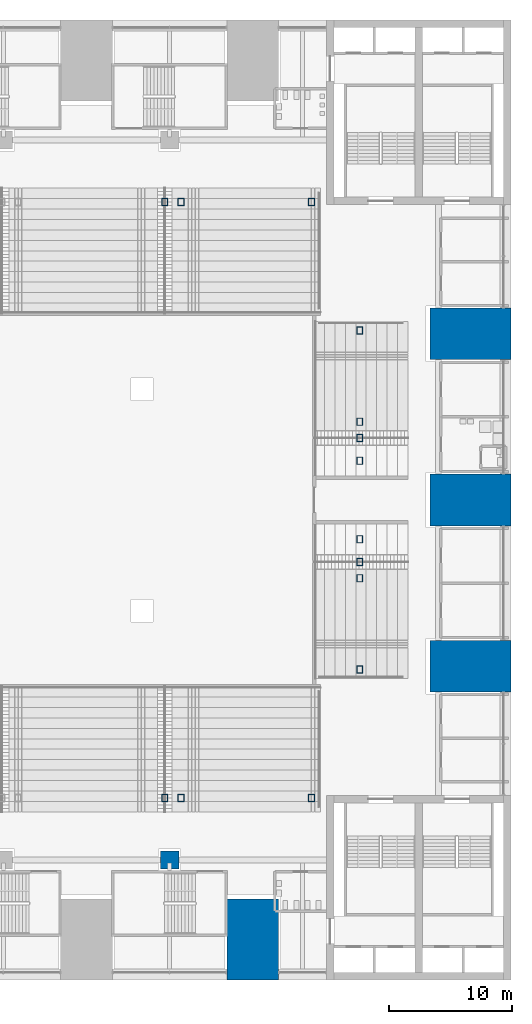
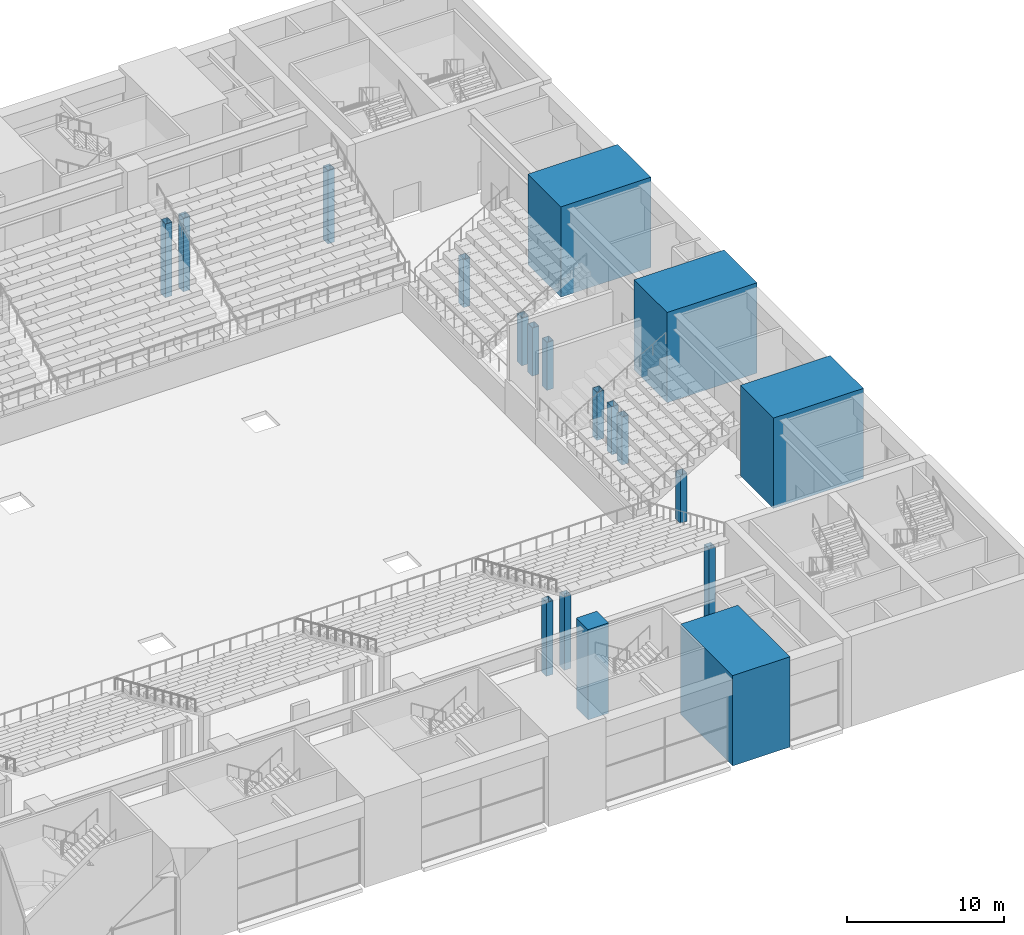
# One storey, part 2 of 62: 19 columns.
"""IFC4 building model written with IfcOpenShell, lengths in metres."""

from ifc_helpers import new_model, si_unit, direction, frame, origin, origin_2d, place, context, subcontext, project, spatial, rectangle, hollow_rectangle, extrude, material, material_profile, profile_set, type_object, element, save


model = new_model("IFC4")

# Units and contexts
model_context = context("Model", 3, precision=1e-05, world=origin(), true_north=direction((0.0, 1.0)))
body_context = subcontext(model_context, "Body", "Model", "MODEL_VIEW")
ifc_project = project(units=[si_unit("LENGTHUNIT", "METRE"), si_unit("AREAUNIT", "SQUARE_METRE"), si_unit("VOLUMEUNIT", "CUBIC_METRE"), si_unit("PLANEANGLEUNIT", "RADIAN"), si_unit("MASSUNIT", "GRAM", prefix="KILO")], contexts=[model_context])

# Site, building, storey
site_placement = place(None, origin())
site = spatial("IfcSite", under=ifc_project, at=site_placement, CompositionType="ELEMENT")
building_placement = place(site_placement, origin())
building = spatial("IfcBuilding", under=site, at=building_placement, Name="Corbelhall Arena Tower", CompositionType="ELEMENT")
storey_placement = place(building_placement, frame((0.0, 0.0, 12.0)))
storey = spatial("IfcBuildingStorey", under=building, at=storey_placement, Name="L01", CompositionType="ELEMENT", Elevation=12.0)

# Columns
ifc_material_1 = material(Name="Steel ASTM A572 Gr50", Category="steel")
ifc_material_profile_1 = material_profile(ifc_material_1, hollow_rectangle(XDim=0.5, YDim=0.60009765625, WallThickness=0.030029296875, at=origin_2d()))
ifc_profile_set_1 = profile_set([ifc_material_profile_1], Name="Steel ASTM A572 Gr50")
column_type_1 = type_object("IfcColumnType", Name="AR-TIER-POST", PredefinedType="COLUMN", material=ifc_profile_set_1)
for number, where, z_axis, x_axis, name in (
    (1, (21.179931640625, 24.199951171875, 0.0), (0.0, 0.0, 1.0), (1.0, 0.0, 0.0), "Tier post LNE"),
    (2, (31.780029296875, 24.199951171875, 0.0), (0.0, 0.0, 1.0), (1.0, 0.0, 0.0), "Tier post LNE"),
    (3, (19.860107421875, 24.199951171875, 0.0), (0.0, 0.0, 1.0), (1.0, 0.0, 0.0), "Tier post LN-AIS4"),
    (4, (31.780029296875, -24.199951171875, 0.0), (0.0, 0.0, 1.0), (1.0, 0.0, 0.0), "Tier post LSA"),
    (5, (21.179931640625, -24.199951171875, 0.0), (0.0, 0.0, 1.0), (1.0, 0.0, 0.0), "Tier post LSA"),
    (6, (19.860107421875, -24.199951171875, 0.0), (0.0, 0.0, 1.0), (1.0, 0.0, 0.0), "Tier post LS-AIS1"),
):
    element("IfcColumn", number, at=place(storey_placement, frame(where, z_axis=z_axis, x_axis=x_axis)), inside=storey, type_object=column_type_1, Name=name, PredefinedType="COLUMN", context=body_context, shape_type="SweptSolid", body=[
        extrude(hollow_rectangle(XDim=0.5, YDim=0.60009765625, WallThickness=0.030029296875, at=origin_2d()), origin(), (0.0, 0.0, 1.0), 5.7119140625),
    ])
for number, where, z_axis, x_axis, name in (
    (7, (35.705078125, -13.780029296875, 0.0), (0.0, 0.0, 1.0), (1.0, 0.0, 0.0), "Tier post LEA"),
    (8, (35.705078125, -6.353271484375, 0.0), (0.0, 0.0, 1.0), (1.0, 0.0, 0.0), "Tier post LEA"),
    (9, (35.705078125, -3.191650390625, 0.0), (0.0, 0.0, 1.0), (1.0, 0.0, 0.0), "Tier post LEB"),
    (10, (35.705078125, 3.191650390625, 0.0), (0.0, 0.0, 1.0), (1.0, 0.0, 0.0), "Tier post LEBR"),
    (11, (35.705078125, 6.353271484375, 0.0), (0.0, 0.0, 1.0), (1.0, 0.0, 0.0), "Tier post LEC"),
    (12, (35.705078125, 13.780029296875, 0.0), (0.0, 0.0, 1.0), (1.0, 0.0, 0.0), "Tier post LEC"),
    (13, (35.705078125, -5.033203125, 0.0), (0.0, 0.0, 1.0), (1.0, 0.0, 0.0), "Tier post LE-AIS1"),
    (14, (35.705078125, 5.033203125, 0.0), (0.0, 0.0, 1.0), (1.0, 0.0, 0.0), "Tier post LE-AIS2"),
):
    element("IfcColumn", number, at=place(storey_placement, frame(where, z_axis=z_axis, x_axis=x_axis)), inside=storey, type_object=column_type_1, Name=name, PredefinedType="COLUMN", context=body_context, shape_type="SweptSolid", body=[
        extrude(hollow_rectangle(XDim=0.5, YDim=0.60009765625, WallThickness=0.030029296875, at=origin_2d()), origin(), (0.0, 0.0, 1.0), 3.724365234375),
    ])
ifc_material_2 = material(Name="Concrete C80/95", Category="concrete")
ifc_material_profile_2 = material_profile(ifc_material_2, rectangle(XDim=4.199951171875, YDim=6.60009765625, at=origin_2d()))
ifc_profile_set_2 = profile_set([ifc_material_profile_2], Name="Concrete C80/95")
column_type_2 = type_object("IfcColumnType", Name="PO-PIER-L01", PredefinedType="COLUMN", material=ifc_profile_set_2)
for number, where, z_axis, x_axis, name in (
    (15, (27.0, -35.699951171875, 0.0), (0.0, 0.0, 1.0), (1.0, 0.0, 0.0), "PIER S+27.0 L01"),
    (16, (44.699951171875, -13.5, 0.0), (0.0, 0.0, 1.0), (0.0, 1.0, 0.0), "PIER E-13.5 L01"),
    (17, (44.699951171875, 0.0, 0.0), (0.0, 0.0, 1.0), (0.0, 1.0, 0.0), "PIER E+0.0 L01"),
    (18, (44.699951171875, 13.5, 0.0), (0.0, 0.0, 1.0), (0.0, 1.0, 0.0), "PIER E+13.5 L01"),
):
    element("IfcColumn", number, at=place(storey_placement, frame(where, z_axis=z_axis, x_axis=x_axis)), inside=storey, type_object=column_type_2, Name=name, PredefinedType="COLUMN", context=body_context, shape_type="SweptSolid", body=[
        extrude(rectangle(XDim=4.199951171875, YDim=6.60009765625, at=origin_2d()), origin(), (0.0, 0.0, 1.0), 7.0),
    ])
ifc_material_profile_3 = material_profile(ifc_material_2, rectangle(XDim=1.5, YDim=1.5, at=origin_2d()))
ifc_profile_set_3 = profile_set([ifc_material_profile_3], Name="Concrete C80/95")
column_type_3 = type_object("IfcColumnType", Name="PO-RINGCOL-1500", PredefinedType="COLUMN", material=ifc_profile_set_3)
column_placement = place(storey_placement, frame((20.25, -29.25, 0.0), z_axis=(0.0, 0.0, 1.0), x_axis=(1.0, 0.0, 0.0)))
element("IfcColumn", 19, at=column_placement, inside=storey, type_object=column_type_3, Name="RING COLUMN +20.25 -29.25 L01", PredefinedType="COLUMN", context=body_context, shape_type="SweptSolid", body=[
    extrude(rectangle(XDim=1.5, YDim=1.5, at=origin_2d()), origin(), (0.0, 0.0, 1.0), 7.0),
])

save(model, "model.ifc")
